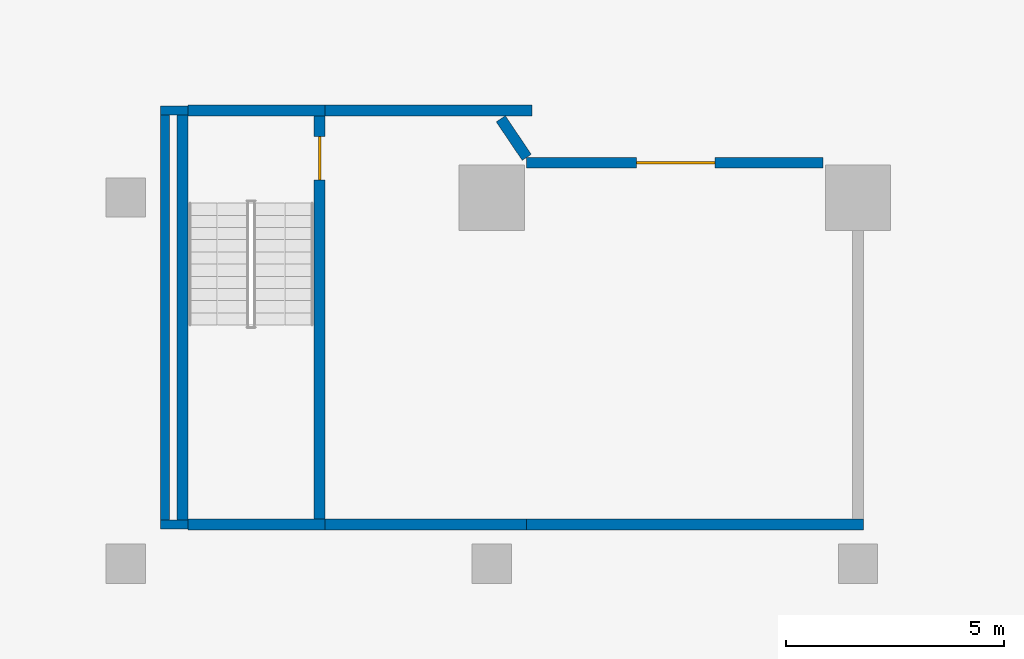
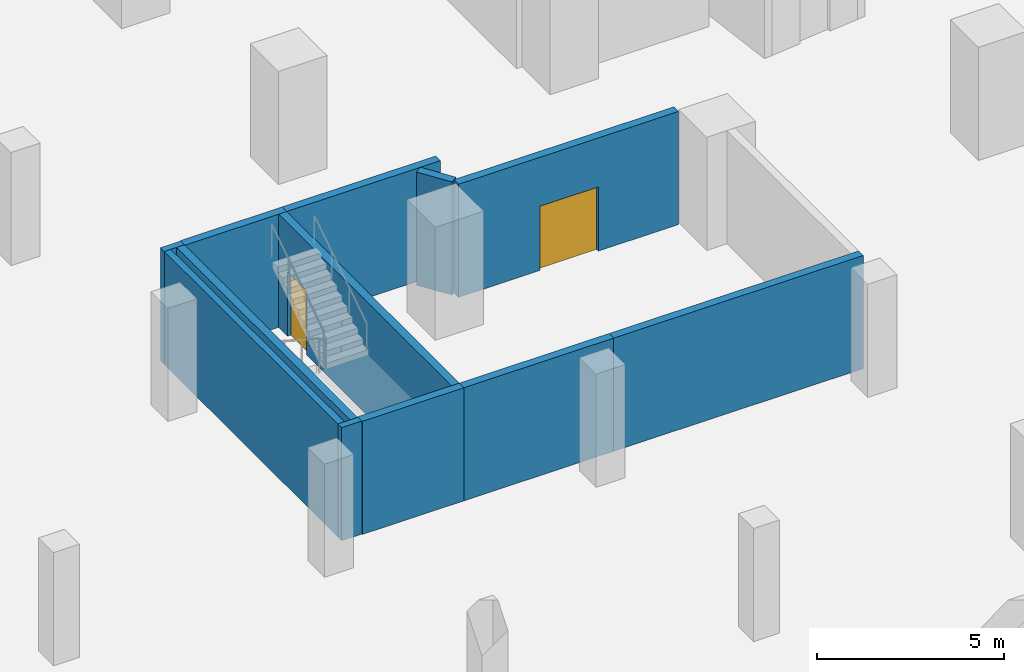
# One storey, part 2 of 18: 12 walls, 2 doors, 2 openings.
"""IFC4 building model written with IfcOpenShell, lengths in metres."""

from ifc_helpers import new_model, si_unit, direction, frame, frame_2d, origin, place, context, subcontext, project, spatial, rectangle, extrude, material, layer, layer_set, type_object, element, fill, save


model = new_model("IFC4")

# Units and contexts
model_context = context("Model", 3, precision=1e-05, world=origin(), true_north=direction((0.0, 1.0)))
body_context = subcontext(model_context, "Body", "Model", "MODEL_VIEW")
ifc_project = project(units=[si_unit("LENGTHUNIT", "METRE"), si_unit("AREAUNIT", "SQUARE_METRE"), si_unit("VOLUMEUNIT", "CUBIC_METRE"), si_unit("PLANEANGLEUNIT", "RADIAN"), si_unit("MASSUNIT", "GRAM", prefix="KILO")], contexts=[model_context])

# Site, building, storey
site_placement = place(None, origin())
site = spatial("IfcSite", under=ifc_project, at=site_placement, CompositionType="ELEMENT")
building_placement = place(site_placement, origin())
building = spatial("IfcBuilding", under=site, at=building_placement, Name="Cantera Rosa Tower", CompositionType="ELEMENT")
storey_placement = place(building_placement, frame((0.0, 0.0, -9.0)))
storey = spatial("IfcBuildingStorey", under=building, at=storey_placement, Name="B2", CompositionType="ELEMENT", Elevation=-9.0)

# Walls
ifc_material_1 = material(Name="Masonry blockwork", Category="masonry")
ifc_layer_1 = layer(ifc_material_1, 0.199951171875)
ifc_layer_set_1 = layer_set([ifc_layer_1], Name="Blockwork partition 200")
wall_type_1 = type_object("IfcWallType", Name="Blockwork partition 200", PredefinedType="PARTITIONING", material=ifc_layer_set_1)
wall_1_placement = place(storey_placement, frame((-32.699951171875, -28.39990234375, 0.0), z_axis=(0.0, 0.0, 1.0), x_axis=(0.0, 1.0, 0.0)))
element("IfcWall", 1, at=wall_1_placement, inside=storey, type_object=wall_type_1, Name="Partition B2-44", PredefinedType="PARTITIONING", context=body_context, shape_type="SweptSolid", body=[
    extrude(rectangle(XDim=9.2998046875, YDim=0.199951171875, at=frame_2d((4.64990234375, 0.0))), origin(), (0.0, 0.0, 1.0), 3.699951171875),
])
for number, where, z_axis, x_axis, name in (
    (2, (-32.800048828125, -19.0, 0.0), (0.0, 0.0, 1.0), (1.0, 0.0, 0.0), "Partition B2-50"),
    (3, (-32.800048828125, -28.5, 0.0), (0.0, 0.0, 1.0), (1.0, 0.0, 0.0), "Partition B2-55"),
):
    element("IfcWall", number, at=place(storey_placement, frame(where, z_axis=z_axis, x_axis=x_axis)), inside=storey, type_object=wall_type_1, Name=name, PredefinedType="PARTITIONING", context=body_context, shape_type="SweptSolid", body=[
        extrude(rectangle(XDim=0.625, YDim=0.199951171875, at=frame_2d((0.3125, 0.0))), origin(), (0.0, 0.0, 1.0), 3.699951171875),
    ])
ifc_material_2 = material(Name="Concrete C50/60", Category="concrete")
ifc_layer_2 = layer(ifc_material_2, 0.25)
ifc_layer_set_2 = layer_set([ifc_layer_2], Name="External stair wall 250")
wall_type_2 = type_object("IfcWallType", Name="External stair wall 250", PredefinedType="SOLIDWALL", material=ifc_layer_set_2)
for number, where, z_axis, x_axis, name in (
    (4, (-32.175048828125, -19.0, 0.0), (0.0, 0.0, 1.0), (1.0, 0.0, 0.0), "Stair wall B2-51"),
    (5, (-29.02490234375, -28.5, 0.0), (0.0, 0.0, 1.0), (-1.0, 0.0, 0.0), "Stair wall B2-56"),
):
    element("IfcWall", number, at=place(storey_placement, frame(where, z_axis=z_axis, x_axis=x_axis)), inside=storey, type_object=wall_type_2, Name=name, PredefinedType="SOLIDWALL", context=body_context, shape_type="SweptSolid", body=[
        extrude(rectangle(XDim=3.150146484375, YDim=0.25, at=frame_2d((1.5751953125, 0.0))), origin(), (0.0, 0.0, 1.0), 3.699951171875),
    ])
ifc_material_3 = material(Name="Masonry blockwork", Category="masonry")
ifc_layer_3 = layer(ifc_material_3, 0.25)
ifc_layer_set_3 = layer_set([ifc_layer_3], Name="Fire-rated external wall 250")
wall_type_3 = type_object("IfcWallType", Name="Fire-rated external wall 250", PredefinedType="PARTITIONING", material=ifc_layer_set_3)
wall_2_placement = place(storey_placement, frame((-29.02490234375, -19.0, 0.0), z_axis=(0.0, 0.0, 1.0), x_axis=(1.0, 0.0, 0.0)))
element("IfcWall", 6, at=wall_2_placement, inside=storey, type_object=wall_type_3, Name="Fire wall B2-52", PredefinedType="PARTITIONING", context=body_context, shape_type="SweptSolid", body=[
    extrude(rectangle(XDim=4.75, YDim=0.25, at=frame_2d((2.375, 0.0))), origin(), (0.0, 0.0, 1.0), 3.699951171875),
])
wall_3_placement = place(storey_placement, frame((-29.02490234375, -28.5, 0.0), z_axis=(0.0, 0.0, 1.0), x_axis=(1.0, 0.0, 0.0)))
element("IfcWall", 7, at=wall_3_placement, inside=storey, type_object=wall_type_3, Name="Fire wall B2-57", PredefinedType="PARTITIONING", context=body_context, shape_type="SweptSolid", body=[
    extrude(rectangle(XDim=4.625, YDim=0.25, at=frame_2d((2.3125, 0.0))), origin(), (0.0, 0.0, 1.0), 3.699951171875),
])
wall_4_placement = place(storey_placement, frame((-24.39990234375, -28.5, 0.0), z_axis=(0.0, 0.0, 1.0), x_axis=(1.0, 0.0, 0.0)))
element("IfcWall", 8, at=wall_4_placement, inside=storey, type_object=wall_type_3, Name="Fire wall B2-58", PredefinedType="PARTITIONING", context=body_context, shape_type="SweptSolid", body=[
    extrude(rectangle(XDim=7.724853515625, YDim=0.25, at=frame_2d((3.8623046875, 0.0))), origin(), (0.0, 0.0, 1.0), 3.699951171875),
])
ifc_material_4 = material(Name="Masonry blockwork", Category="masonry")
ifc_layer_4 = layer(ifc_material_4, 0.25)
ifc_layer_set_4 = layer_set([ifc_layer_4], Name="Fire-rated wall 250")
wall_type_4 = type_object("IfcWallType", Name="Fire-rated wall 250", PredefinedType="PARTITIONING", material=ifc_layer_set_4)
wall_5_placement = place(storey_placement, frame((-24.39990234375, -20.074951171875, 0.0), z_axis=(0.0, 0.0, 1.0), x_axis=(-0.559343029511, 0.828936291483, 0.0)))
element("IfcWall", 9, at=wall_5_placement, inside=storey, type_object=wall_type_4, Name="Fire wall B2-48", PredefinedType="PARTITIONING", context=body_context, shape_type="SweptSolid", body=[
    extrude(rectangle(XDim=1.06591796875, YDim=0.25, at=frame_2d((0.532958984375, 0.0))), origin(), (0.0, 0.0, 1.0), 3.699951171875),
])

# Wall, opening, door
wall_6_placement = place(storey_placement, frame((-24.409912109375, -20.199951171875, 0.0), z_axis=(0.0, 0.0, 1.0), x_axis=(1.0, 0.0, 0.0)))
wall_6 = element("IfcWall", 10, at=wall_6_placement, inside=storey, type_object=wall_type_4, Name="Fire wall B2-62", PredefinedType="PARTITIONING", context=body_context, shape_type="SweptSolid", body=[
    extrude(rectangle(XDim=6.809814453125, YDim=0.25, at=frame_2d((3.40478515625, 0.0))), origin(), (0.0, 0.0, 1.0), 3.699951171875),
])
opening_1_placement = place(wall_6_placement, frame((2.52490234375, 0.0, 0.0)))
opening_1 = element("IfcOpeningElement", 11, at=opening_1_placement, cuts=wall_6, Name="Opening B2-007", PredefinedType="OPENING", context=body_context, shape_type="SweptSolid", body=[
    extrude(rectangle(XDim=1.800048828125, YDim=2.10009765625, at=frame_2d((0.89990234375, 1.050048828125))), frame((0.0, 0.135009765625, 0.0), z_axis=(0.0, -1.0, 0.0), x_axis=(1.0, 0.0, 0.0)), (0.0, 0.0, 1.0), 0.27001953125),
])
ifc_material_5 = material(Name="Steel S355J2 (EN 10025-2)", Category="steel")
door_type_1 = type_object("IfcDoorType", Name="Fire double door 1800x2100", OperationType="NOTDEFINED", PredefinedType="DOOR", material=ifc_material_5)
door_1_placement = place(opening_1_placement, origin())
door_1 = element("IfcDoor", 12, at=door_1_placement, inside=storey, type_object=door_type_1, Name="Door B2-007", OperationType="DOUBLE_DOOR_SINGLE_SWING", OverallHeight=2.10009765625, OverallWidth=1.800048828125, PredefinedType="DOOR", context=body_context, shape_type="SweptSolid", body=[
    extrude(rectangle(XDim=1.800048828125, YDim=2.10009765625, at=frame_2d((0.89990234375, 1.050048828125))), frame((0.0, 0.02490234375, 0.0), z_axis=(0.0, -1.0, 0.0), x_axis=(1.0, 0.0, 0.0)), (0.0, 0.0, 1.0), 0.050048828125),
])
fill(opening_1, door_1)

ifc_material_6 = material(Name="Concrete C50/60", Category="concrete")
ifc_layer_5 = layer(ifc_material_6, 0.25)
ifc_layer_set_5 = layer_set([ifc_layer_5], Name="RC stair wall 250 C50/60")
wall_type_5 = type_object("IfcWallType", Name="RC stair wall 250", PredefinedType="SOLIDWALL", material=ifc_layer_set_5)
wall_7_placement = place(storey_placement, frame((-29.14990234375, -28.375, 0.0), z_axis=(0.0, 0.0, 1.0), x_axis=(0.0, 1.0, 0.0)))
wall_7 = element("IfcWall", 13, at=wall_7_placement, inside=storey, type_object=wall_type_5, Name="Stair wall B2-40", PredefinedType="SOLIDWALL", context=body_context, shape_type="SweptSolid", body=[
    extrude(rectangle(XDim=9.25, YDim=0.25, at=frame_2d((4.625, 0.0))), origin(), (0.0, 0.0, 1.0), 3.699951171875),
])
opening_2_placement = place(wall_7_placement, frame((7.77490234375, 0.0, 0.0)))
opening_2 = element("IfcOpeningElement", 14, at=opening_2_placement, cuts=wall_7, Name="Opening B2-008", PredefinedType="OPENING", context=body_context, shape_type="SweptSolid", body=[
    extrude(rectangle(XDim=1.0, YDim=2.10009765625, at=frame_2d((0.5, 1.050048828125))), frame((0.0, 0.135009765625, 0.0), z_axis=(0.0, -1.0, 0.0), x_axis=(1.0, 0.0, 0.0)), (0.0, 0.0, 1.0), 0.27001953125),
])
ifc_material_7 = material(Name="Steel S355J2 (EN 10025-2)", Category="steel")
door_type_2 = type_object("IfcDoorType", Name="Fire door 1000x2100 EI 120", OperationType="NOTDEFINED", PredefinedType="DOOR", material=ifc_material_7)
door_2_placement = place(opening_2_placement, origin())
door_2 = element("IfcDoor", 15, at=door_2_placement, inside=storey, type_object=door_type_2, Name="Door B2-008", OverallHeight=2.10009765625, OverallWidth=1.0, PredefinedType="DOOR", context=body_context, shape_type="SweptSolid", body=[
    extrude(rectangle(XDim=1.0, YDim=2.10009765625, at=frame_2d((0.5, 1.050048828125))), frame((0.0, 0.02490234375, 0.0), z_axis=(0.0, -1.0, 0.0), x_axis=(1.0, 0.0, 0.0)), (0.0, 0.0, 1.0), 0.050048828125),
])
fill(opening_2, door_2)

# Wall
wall_8_placement = place(storey_placement, frame((-32.300048828125, -28.39990234375, 0.0), z_axis=(0.0, 0.0, 1.0), x_axis=(0.0, 1.0, 0.0)))
element("IfcWall", 16, at=wall_8_placement, inside=storey, type_object=wall_type_5, Name="Stair wall B2-42", PredefinedType="SOLIDWALL", context=body_context, shape_type="SweptSolid", body=[
    extrude(rectangle(XDim=9.2998046875, YDim=0.25, at=frame_2d((4.64990234375, 0.0))), origin(), (0.0, 0.0, 1.0), 3.699951171875),
])

save(model, "model.ifc")
